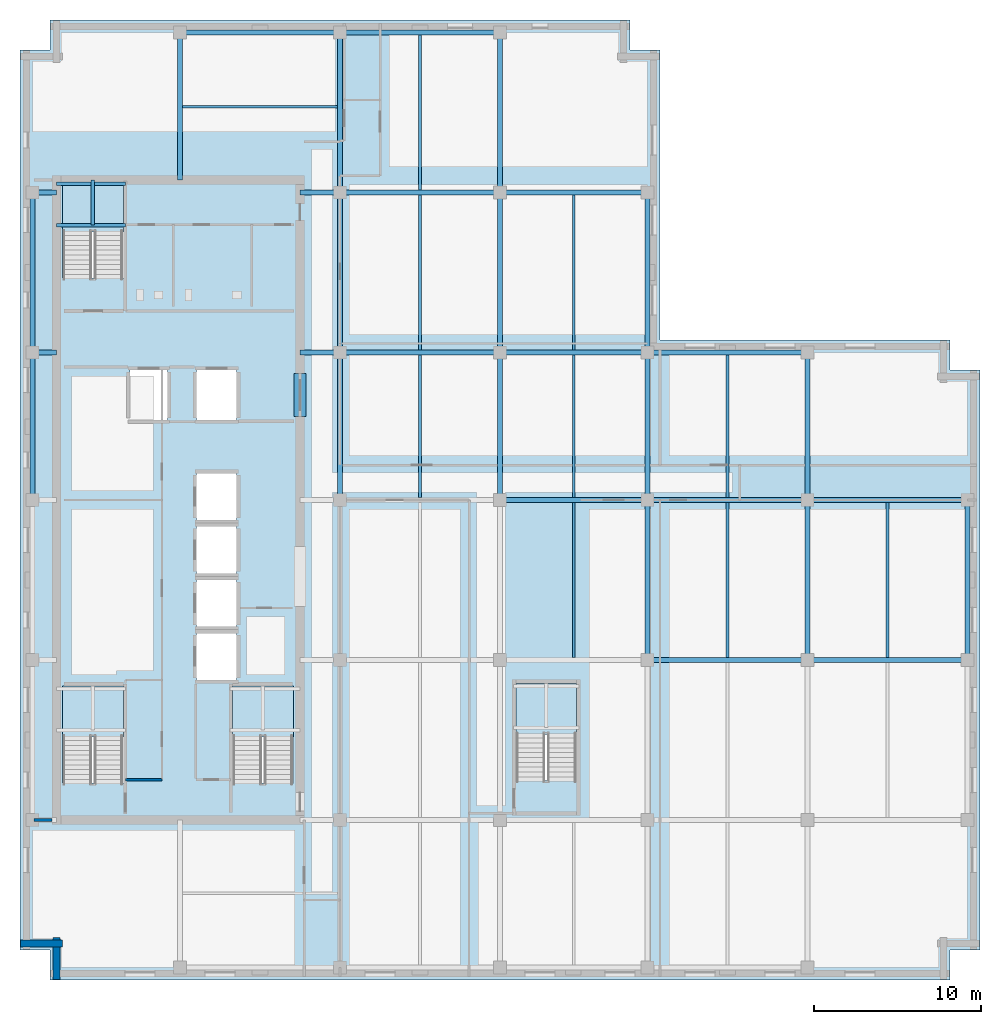
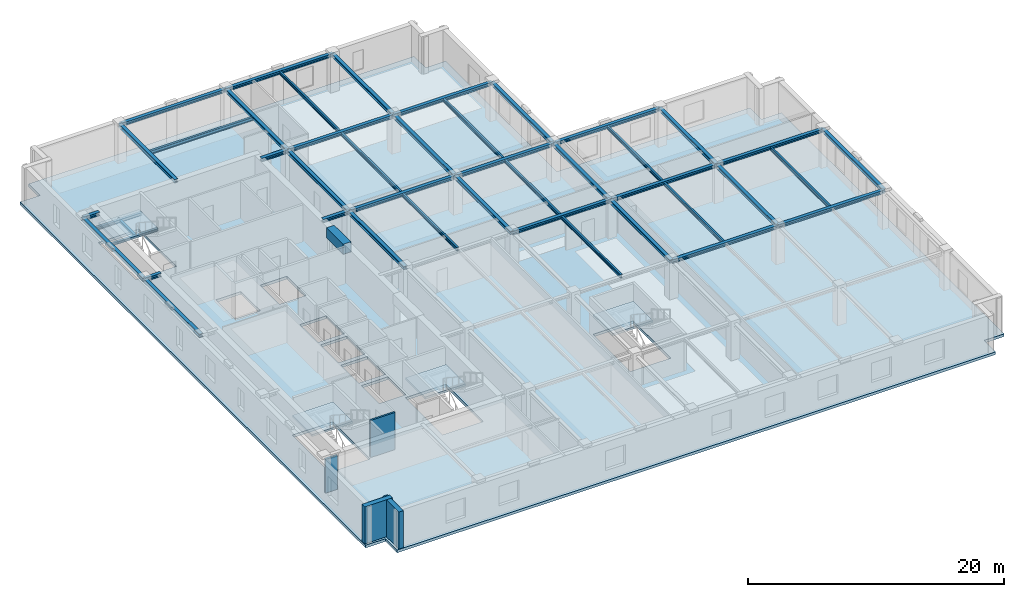
# One storey, part 2 of 12: 45 beams, 5 slabs, 4 walls, 4 elements without a shape of their own.
"""IFC4 building model written with IfcOpenShell, lengths in metres."""

from ifc_helpers import new_model, si_unit, direction, frame, frame_2d, origin, origin_2d, place, context, subcontext, project, spatial, polyline, rectangle, i_section, outline, extrude, material, layer, layer_set, material_profile, profile_set, type_object, element, aggregate, save


model = new_model("IFC4")

# Units and contexts
model_context = context("Model", 3, precision=1e-05, world=origin(), true_north=direction((0.0, 1.0)))
body_context = subcontext(model_context, "Body", "Model", "MODEL_VIEW")
ifc_project = project(units=[si_unit("LENGTHUNIT", "METRE"), si_unit("AREAUNIT", "SQUARE_METRE"), si_unit("VOLUMEUNIT", "CUBIC_METRE"), si_unit("PLANEANGLEUNIT", "RADIAN"), si_unit("MASSUNIT", "GRAM", prefix="KILO")], contexts=[model_context])

# Site, building, storey
site_placement = place(None, origin())
site = spatial("IfcSite", under=ifc_project, at=site_placement, CompositionType="ELEMENT")
building_placement = place(site_placement, origin())
building = spatial("IfcBuilding", under=site, at=building_placement, Name="Norrvale University Quadrangle", CompositionType="ELEMENT")
storey_placement = place(building_placement, frame((0.0, 0.0, 240.800048828125)))
storey = spatial("IfcBuildingStorey", under=building, at=storey_placement, Name="L61", CompositionType="ELEMENT", Elevation=240.800048828125)

# Beams
ifc_material_1 = material(Name="Steel 350W", Category="steel")
ifc_material_profile_1 = material_profile(ifc_material_1, i_section(OverallWidth=0.1669921875, OverallDepth=0.31689453125, WebThickness=0.007568359375, FlangeThickness=0.01318359375, FilletRadius=0.010009765625, at=origin_2d()), Name="Steel 350W")
ifc_profile_set_1 = profile_set([ifc_material_profile_1], Name="Steel 350W")
beam_type_1 = type_object("IfcBeamType", Name="Beam Canopy Purlin W310x52", PredefinedType="USERDEFINED", material=ifc_profile_set_1)
beam_1_placement = place(storey_placement, frame((24.0, 28.952392578125, 3.38134765625), z_axis=(0.0, 1.0, 0.0), x_axis=(-1.0, 0.0, 0.0)))
element("IfcBeam", 1, at=beam_1_placement, inside=storey, type_object=beam_type_1, Name="Beam Canopy Purlin W310x52 BM-L61-J064", ObjectType="PURLIN", PredefinedType="USERDEFINED", context=body_context, shape_type="SweptSolid", body=[
    extrude(i_section(OverallWidth=0.1669921875, OverallDepth=0.31689453125, WebThickness=0.007568359375, FlangeThickness=0.01318359375, FilletRadius=0.010009765625, at=origin_2d()), origin(), (0.0, 0.0, 1.0), 8.545166015625),
])
for number, where, z_axis, x_axis, name in (
    (2, (24.0, 37.802490234375, 3.38134765625), (0.0, 1.0, 0.0), (-1.0, 0.0, 0.0), "Beam Canopy Purlin W310x52 BM-L61-J065"),
    (3, (24.0, 47.402587890625, 3.38134765625), (0.0, 1.0, 0.0), (-1.0, 0.0, 0.0), "Beam Canopy Purlin W310x52 BM-L61-J066"),
    (4, (33.22509765625, 19.3525390625, 3.38134765625), (0.0, 1.0, 0.0), (-1.0, 0.0, 0.0), "Beam Canopy Purlin W310x52 BM-L61-J068"),
):
    element("IfcBeam", number, at=place(storey_placement, frame(where, z_axis=z_axis, x_axis=x_axis)), inside=storey, type_object=beam_type_1, Name=name, ObjectType="PURLIN", PredefinedType="USERDEFINED", context=body_context, shape_type="SweptSolid", body=[
        extrude(i_section(OverallWidth=0.1669921875, OverallDepth=0.31689453125, WebThickness=0.007568359375, FlangeThickness=0.01318359375, FilletRadius=0.010009765625, at=origin_2d()), origin(), (0.0, 0.0, 1.0), 9.294921875),
    ])
beam_2_placement = place(storey_placement, frame((33.22509765625, 28.952392578125, 3.38134765625), z_axis=(0.0, 1.0, 0.0), x_axis=(-1.0, 0.0, 0.0)))
element("IfcBeam", 5, at=beam_2_placement, inside=storey, type_object=beam_type_1, Name="Beam Canopy Purlin W310x52 BM-L61-J069", ObjectType="PURLIN", PredefinedType="USERDEFINED", context=body_context, shape_type="SweptSolid", body=[
    extrude(i_section(OverallWidth=0.1669921875, OverallDepth=0.31689453125, WebThickness=0.007568359375, FlangeThickness=0.01318359375, FilletRadius=0.010009765625, at=origin_2d()), origin(), (0.0, 0.0, 1.0), 8.545166015625),
])
for number, where, z_axis, x_axis, name in (
    (6, (33.22509765625, 37.802490234375, 3.38134765625), (0.0, 1.0, 0.0), (-1.0, 0.0, 0.0), "Beam Canopy Purlin W310x52 BM-L61-J070"),
    (7, (42.449951171875, 19.3525390625, 3.38134765625), (0.0, 1.0, 0.0), (-1.0, 0.0, 0.0), "Beam Canopy Purlin W310x52 BM-L61-J073"),
):
    element("IfcBeam", number, at=place(storey_placement, frame(where, z_axis=z_axis, x_axis=x_axis)), inside=storey, type_object=beam_type_1, Name=name, ObjectType="PURLIN", PredefinedType="USERDEFINED", context=body_context, shape_type="SweptSolid", body=[
        extrude(i_section(OverallWidth=0.1669921875, OverallDepth=0.31689453125, WebThickness=0.007568359375, FlangeThickness=0.01318359375, FilletRadius=0.010009765625, at=origin_2d()), origin(), (0.0, 0.0, 1.0), 9.294921875),
    ])
beam_3_placement = place(storey_placement, frame((42.449951171875, 28.952392578125, 3.38134765625), z_axis=(0.0, 1.0, 0.0), x_axis=(-1.0, 0.0, 0.0)))
element("IfcBeam", 8, at=beam_3_placement, inside=storey, type_object=beam_type_1, Name="Beam Canopy Purlin W310x52 BM-L61-J074", ObjectType="PURLIN", PredefinedType="USERDEFINED", context=body_context, shape_type="SweptSolid", body=[
    extrude(i_section(OverallWidth=0.1669921875, OverallDepth=0.31689453125, WebThickness=0.007568359375, FlangeThickness=0.01318359375, FilletRadius=0.010009765625, at=origin_2d()), origin(), (0.0, 0.0, 1.0), 8.545166015625),
])
beam_4_placement = place(storey_placement, frame((52.050048828125, 19.3525390625, 3.38134765625), z_axis=(0.0, 1.0, 0.0), x_axis=(-1.0, 0.0, 0.0)))
element("IfcBeam", 9, at=beam_4_placement, inside=storey, type_object=beam_type_1, Name="Beam Canopy Purlin W310x52 BM-L61-J076", ObjectType="PURLIN", PredefinedType="USERDEFINED", context=body_context, shape_type="SweptSolid", body=[
    extrude(i_section(OverallWidth=0.1669921875, OverallDepth=0.31689453125, WebThickness=0.007568359375, FlangeThickness=0.01318359375, FilletRadius=0.010009765625, at=origin_2d()), origin(), (0.0, 0.0, 1.0), 9.294921875),
])
beam_5_placement = place(storey_placement, frame((9.75244140625, 52.39990234375, 3.38134765625), z_axis=(1.0, 0.0, 0.0), x_axis=(0.0, 1.0, 0.0)))
element("IfcBeam", 10, at=beam_5_placement, inside=storey, type_object=beam_type_1, Name="Beam Canopy Purlin W310x52 BM-L61-JCN080", ObjectType="PURLIN", PredefinedType="USERDEFINED", context=body_context, shape_type="SweptSolid", body=[
    extrude(i_section(OverallWidth=0.1669921875, OverallDepth=0.31689453125, WebThickness=0.007568359375, FlangeThickness=0.01318359375, FilletRadius=0.010009765625, at=origin_2d()), origin(), (0.0, 0.0, 1.0), 9.295166015625),
])
ifc_material_profile_2 = material_profile(ifc_material_1, i_section(OverallWidth=0.304931640625, OverallDepth=0.30810546875, WebThickness=0.010009765625, FlangeThickness=0.015380859375, FilletRadius=0.014892578125, at=origin_2d()), Name="Steel 350W")
ifc_profile_set_2 = profile_set([ifc_material_profile_2], Name="Steel 350W")
beam_type_2 = type_object("IfcBeamType", Name="Beam Canopy W310x97", PredefinedType="BEAM", material=ifc_profile_set_2)
for number, where, z_axis, x_axis, name in (
    (11, (37.64990234375, 19.199951171875, 3.385986328125), (1.0, 0.0, 0.0), (0.0, 1.0, 0.0), "Beam Canopy W310x97 BM-L61-GX011"),
    (12, (47.25, 19.199951171875, 3.385986328125), (1.0, 0.0, 0.0), (0.0, 1.0, 0.0), "Beam Canopy W310x97 BM-L61-GX012"),
):
    element("IfcBeam", number, at=place(storey_placement, frame(where, z_axis=z_axis, x_axis=x_axis)), inside=storey, type_object=beam_type_2, Name=name, PredefinedType="BEAM", context=body_context, shape_type="SweptSolid", body=[
        extrude(i_section(OverallWidth=0.304931640625, OverallDepth=0.30810546875, WebThickness=0.010009765625, FlangeThickness=0.015380859375, FilletRadius=0.014892578125, at=origin_2d()), origin(), (0.0, 0.0, 1.0), 9.60009765625),
    ])
beam_6_placement = place(storey_placement, frame((28.800048828125, 28.800048828125, 3.385986328125), z_axis=(1.0, 0.0, 0.0), x_axis=(0.0, 1.0, 0.0)))
element("IfcBeam", 13, at=beam_6_placement, inside=storey, type_object=beam_type_2, Name="Beam Canopy W310x97 BM-L61-GX014", PredefinedType="BEAM", context=body_context, shape_type="SweptSolid", body=[
    extrude(i_section(OverallWidth=0.304931640625, OverallDepth=0.30810546875, WebThickness=0.010009765625, FlangeThickness=0.015380859375, FilletRadius=0.014892578125, at=origin_2d()), origin(), (0.0, 0.0, 1.0), 8.849853515625),
])
for number, where, z_axis, x_axis, name in (
    (14, (37.64990234375, 28.800048828125, 3.385986328125), (1.0, 0.0, 0.0), (0.0, 1.0, 0.0), "Beam Canopy W310x97 BM-L61-GX015"),
    (15, (47.25, 28.800048828125, 3.385986328125), (1.0, 0.0, 0.0), (0.0, 1.0, 0.0), "Beam Canopy W310x97 BM-L61-GX016"),
    (16, (19.199951171875, 37.64990234375, 3.385986328125), (1.0, 0.0, 0.0), (0.0, 1.0, 0.0), "Beam Canopy W310x97 BM-L61-GX017"),
):
    element("IfcBeam", number, at=place(storey_placement, frame(where, z_axis=z_axis, x_axis=x_axis)), inside=storey, type_object=beam_type_2, Name=name, PredefinedType="BEAM", context=body_context, shape_type="SweptSolid", body=[
        extrude(i_section(OverallWidth=0.304931640625, OverallDepth=0.30810546875, WebThickness=0.010009765625, FlangeThickness=0.015380859375, FilletRadius=0.014892578125, at=origin_2d()), origin(), (0.0, 0.0, 1.0), 9.60009765625),
    ])
beam_7_placement = place(storey_placement, frame((28.800048828125, 37.64990234375, 3.385986328125), z_axis=(1.0, 0.0, 0.0), x_axis=(0.0, 1.0, 0.0)))
element("IfcBeam", 17, at=beam_7_placement, inside=storey, type_object=beam_type_2, Name="Beam Canopy W310x97 BM-L61-GX018", PredefinedType="BEAM", context=body_context, shape_type="SweptSolid", body=[
    extrude(i_section(OverallWidth=0.304931640625, OverallDepth=0.30810546875, WebThickness=0.010009765625, FlangeThickness=0.015380859375, FilletRadius=0.014892578125, at=origin_2d()), origin(), (0.0, 0.0, 1.0), 8.849853515625),
])
for number, where, z_axis, x_axis, name in (
    (18, (37.64990234375, 37.64990234375, 3.385986328125), (1.0, 0.0, 0.0), (0.0, 1.0, 0.0), "Beam Canopy W310x97 BM-L61-GX019"),
    (19, (19.199951171875, 47.25, 3.385986328125), (1.0, 0.0, 0.0), (0.0, 1.0, 0.0), "Beam Canopy W310x97 BM-L61-GX020"),
):
    element("IfcBeam", number, at=place(storey_placement, frame(where, z_axis=z_axis, x_axis=x_axis)), inside=storey, type_object=beam_type_2, Name=name, PredefinedType="BEAM", context=body_context, shape_type="SweptSolid", body=[
        extrude(i_section(OverallWidth=0.304931640625, OverallDepth=0.30810546875, WebThickness=0.010009765625, FlangeThickness=0.015380859375, FilletRadius=0.014892578125, at=origin_2d()), origin(), (0.0, 0.0, 1.0), 9.60009765625),
    ])
beam_8_placement = place(storey_placement, frame((28.800048828125, 47.25, 3.385986328125), z_axis=(1.0, 0.0, 0.0), x_axis=(0.0, 1.0, 0.0)))
element("IfcBeam", 20, at=beam_8_placement, inside=storey, type_object=beam_type_2, Name="Beam Canopy W310x97 BM-L61-GX021", PredefinedType="BEAM", context=body_context, shape_type="SweptSolid", body=[
    extrude(i_section(OverallWidth=0.304931640625, OverallDepth=0.30810546875, WebThickness=0.010009765625, FlangeThickness=0.015380859375, FilletRadius=0.014892578125, at=origin_2d()), origin(), (0.0, 0.0, 1.0), 8.849853515625),
])
beam_9_placement = place(storey_placement, frame((9.60009765625, 56.85009765625, 3.385986328125), z_axis=(1.0, 0.0, 0.0), x_axis=(0.0, 1.0, 0.0)))
element("IfcBeam", 21, at=beam_9_placement, inside=storey, type_object=beam_type_2, Name="Beam Canopy W310x97 BM-L61-GX022", PredefinedType="BEAM", context=body_context, shape_type="SweptSolid", body=[
    extrude(i_section(OverallWidth=0.304931640625, OverallDepth=0.30810546875, WebThickness=0.010009765625, FlangeThickness=0.015380859375, FilletRadius=0.014892578125, at=origin_2d()), origin(), (0.0, 0.0, 1.0), 9.599853515625),
])
beam_10_placement = place(storey_placement, frame((19.199951171875, 56.85009765625, 3.385986328125), z_axis=(1.0, 0.0, 0.0), x_axis=(0.0, 1.0, 0.0)))
element("IfcBeam", 22, at=beam_10_placement, inside=storey, type_object=beam_type_2, Name="Beam Canopy W310x97 BM-L61-GX023", PredefinedType="BEAM", context=body_context, shape_type="SweptSolid", body=[
    extrude(i_section(OverallWidth=0.304931640625, OverallDepth=0.30810546875, WebThickness=0.010009765625, FlangeThickness=0.015380859375, FilletRadius=0.014892578125, at=origin_2d()), origin(), (0.0, 0.0, 1.0), 9.60009765625),
])
beam_11_placement = place(storey_placement, frame((0.75, 28.800048828125, 3.385986328125), z_axis=(0.0, 1.0, 0.0), x_axis=(-1.0, 0.0, 0.0)))
element("IfcBeam", 23, at=beam_11_placement, inside=storey, type_object=beam_type_2, Name="Beam Canopy W310x97 BM-L61-GY026", PredefinedType="BEAM", context=body_context, shape_type="SweptSolid", body=[
    extrude(i_section(OverallWidth=0.304931640625, OverallDepth=0.30810546875, WebThickness=0.010009765625, FlangeThickness=0.015380859375, FilletRadius=0.014892578125, at=origin_2d()), origin(), (0.0, 0.0, 1.0), 8.849853515625),
])
beam_12_placement = place(storey_placement, frame((0.75, 37.64990234375, 3.385986328125), z_axis=(0.0, 1.0, 0.0), x_axis=(-1.0, 0.0, 0.0)))
element("IfcBeam", 24, at=beam_12_placement, inside=storey, type_object=beam_type_2, Name="Beam Canopy W310x97 BM-L61-GY027", PredefinedType="BEAM", context=body_context, shape_type="SweptSolid", body=[
    extrude(i_section(OverallWidth=0.304931640625, OverallDepth=0.30810546875, WebThickness=0.010009765625, FlangeThickness=0.015380859375, FilletRadius=0.014892578125, at=origin_2d()), origin(), (0.0, 0.0, 1.0), 9.60009765625),
])
beam_13_placement = place(storey_placement, frame((19.199951171875, 28.800048828125, 3.385986328125), z_axis=(0.0, 1.0, 0.0), x_axis=(-1.0, 0.0, 0.0)))
element("IfcBeam", 25, at=beam_13_placement, inside=storey, type_object=beam_type_2, Name="Beam Canopy W310x97 BM-L61-GY031", PredefinedType="BEAM", context=body_context, shape_type="SweptSolid", body=[
    extrude(i_section(OverallWidth=0.304931640625, OverallDepth=0.30810546875, WebThickness=0.010009765625, FlangeThickness=0.015380859375, FilletRadius=0.014892578125, at=origin_2d()), origin(), (0.0, 0.0, 1.0), 8.849853515625),
])
for number, where, z_axis, x_axis, name in (
    (26, (19.199951171875, 37.64990234375, 3.385986328125), (0.0, 1.0, 0.0), (-1.0, 0.0, 0.0), "Beam Canopy W310x97 BM-L61-GY032"),
    (27, (19.199951171875, 47.25, 3.385986328125), (0.0, 1.0, 0.0), (-1.0, 0.0, 0.0), "Beam Canopy W310x97 BM-L61-GY033"),
):
    element("IfcBeam", number, at=place(storey_placement, frame(where, z_axis=z_axis, x_axis=x_axis)), inside=storey, type_object=beam_type_2, Name=name, PredefinedType="BEAM", context=body_context, shape_type="SweptSolid", body=[
        extrude(i_section(OverallWidth=0.304931640625, OverallDepth=0.30810546875, WebThickness=0.010009765625, FlangeThickness=0.015380859375, FilletRadius=0.014892578125, at=origin_2d()), origin(), (0.0, 0.0, 1.0), 9.60009765625),
    ])
beam_14_placement = place(storey_placement, frame((28.800048828125, 28.800048828125, 3.385986328125), z_axis=(0.0, 1.0, 0.0), x_axis=(-1.0, 0.0, 0.0)))
element("IfcBeam", 28, at=beam_14_placement, inside=storey, type_object=beam_type_2, Name="Beam Canopy W310x97 BM-L61-GY037", PredefinedType="BEAM", context=body_context, shape_type="SweptSolid", body=[
    extrude(i_section(OverallWidth=0.304931640625, OverallDepth=0.30810546875, WebThickness=0.010009765625, FlangeThickness=0.015380859375, FilletRadius=0.014892578125, at=origin_2d()), origin(), (0.0, 0.0, 1.0), 8.849853515625),
])
for number, where, z_axis, x_axis, name in (
    (29, (28.800048828125, 37.64990234375, 3.385986328125), (0.0, 1.0, 0.0), (-1.0, 0.0, 0.0), "Beam Canopy W310x97 BM-L61-GY038"),
    (30, (28.800048828125, 47.25, 3.385986328125), (0.0, 1.0, 0.0), (-1.0, 0.0, 0.0), "Beam Canopy W310x97 BM-L61-GY039"),
    (31, (37.64990234375, 19.199951171875, 3.385986328125), (0.0, 1.0, 0.0), (-1.0, 0.0, 0.0), "Beam Canopy W310x97 BM-L61-GY042"),
):
    element("IfcBeam", number, at=place(storey_placement, frame(where, z_axis=z_axis, x_axis=x_axis)), inside=storey, type_object=beam_type_2, Name=name, PredefinedType="BEAM", context=body_context, shape_type="SweptSolid", body=[
        extrude(i_section(OverallWidth=0.304931640625, OverallDepth=0.30810546875, WebThickness=0.010009765625, FlangeThickness=0.015380859375, FilletRadius=0.014892578125, at=origin_2d()), origin(), (0.0, 0.0, 1.0), 9.60009765625),
    ])
beam_15_placement = place(storey_placement, frame((37.64990234375, 28.800048828125, 3.385986328125), z_axis=(0.0, 1.0, 0.0), x_axis=(-1.0, 0.0, 0.0)))
element("IfcBeam", 32, at=beam_15_placement, inside=storey, type_object=beam_type_2, Name="Beam Canopy W310x97 BM-L61-GY043", PredefinedType="BEAM", context=body_context, shape_type="SweptSolid", body=[
    extrude(i_section(OverallWidth=0.304931640625, OverallDepth=0.30810546875, WebThickness=0.010009765625, FlangeThickness=0.015380859375, FilletRadius=0.014892578125, at=origin_2d()), origin(), (0.0, 0.0, 1.0), 8.849853515625),
])
for number, where, z_axis, x_axis, name in (
    (33, (37.64990234375, 37.64990234375, 3.385986328125), (0.0, 1.0, 0.0), (-1.0, 0.0, 0.0), "Beam Canopy W310x97 BM-L61-GY044"),
    (34, (47.25, 19.199951171875, 3.385986328125), (0.0, 1.0, 0.0), (-1.0, 0.0, 0.0), "Beam Canopy W310x97 BM-L61-GY047"),
):
    element("IfcBeam", number, at=place(storey_placement, frame(where, z_axis=z_axis, x_axis=x_axis)), inside=storey, type_object=beam_type_2, Name=name, PredefinedType="BEAM", context=body_context, shape_type="SweptSolid", body=[
        extrude(i_section(OverallWidth=0.304931640625, OverallDepth=0.30810546875, WebThickness=0.010009765625, FlangeThickness=0.015380859375, FilletRadius=0.014892578125, at=origin_2d()), origin(), (0.0, 0.0, 1.0), 9.60009765625),
    ])
beam_16_placement = place(storey_placement, frame((47.25, 28.800048828125, 3.385986328125), z_axis=(0.0, 1.0, 0.0), x_axis=(-1.0, 0.0, 0.0)))
element("IfcBeam", 35, at=beam_16_placement, inside=storey, type_object=beam_type_2, Name="Beam Canopy W310x97 BM-L61-GY048", PredefinedType="BEAM", context=body_context, shape_type="SweptSolid", body=[
    extrude(i_section(OverallWidth=0.304931640625, OverallDepth=0.30810546875, WebThickness=0.010009765625, FlangeThickness=0.015380859375, FilletRadius=0.014892578125, at=origin_2d()), origin(), (0.0, 0.0, 1.0), 8.849853515625),
])
beam_17_placement = place(storey_placement, frame((56.85009765625, 19.199951171875, 3.385986328125), z_axis=(0.0, 1.0, 0.0), x_axis=(-1.0, 0.0, 0.0)))
element("IfcBeam", 36, at=beam_17_placement, inside=storey, type_object=beam_type_2, Name="Beam Canopy W310x97 BM-L61-GY050", PredefinedType="BEAM", context=body_context, shape_type="SweptSolid", body=[
    extrude(i_section(OverallWidth=0.304931640625, OverallDepth=0.30810546875, WebThickness=0.010009765625, FlangeThickness=0.015380859375, FilletRadius=0.014892578125, at=origin_2d()), origin(), (0.0, 0.0, 1.0), 9.60009765625),
])
beam_18_placement = place(storey_placement, frame((0.75, 37.64990234375, 3.385986328125), z_axis=(1.0, 0.0, 0.0), x_axis=(0.0, 1.0, 0.0)))
element("IfcBeam", 37, at=beam_18_placement, inside=storey, type_object=beam_type_2, Name="Beam Canopy W310x97 BM-L61-GCW057", PredefinedType="BEAM", context=body_context, shape_type="SweptSolid", body=[
    extrude(i_section(OverallWidth=0.304931640625, OverallDepth=0.30810546875, WebThickness=0.010009765625, FlangeThickness=0.015380859375, FilletRadius=0.014892578125, at=origin_2d()), origin(), (0.0, 0.0, 1.0), 1.449951171875),
])
beam_19_placement = place(storey_placement, frame((16.800048828125, 37.64990234375, 3.385986328125), z_axis=(1.0, 0.0, 0.0), x_axis=(0.0, 1.0, 0.0)))
element("IfcBeam", 38, at=beam_19_placement, inside=storey, type_object=beam_type_2, Name="Beam Canopy W310x97 BM-L61-GCE058", PredefinedType="BEAM", context=body_context, shape_type="SweptSolid", body=[
    extrude(i_section(OverallWidth=0.304931640625, OverallDepth=0.30810546875, WebThickness=0.010009765625, FlangeThickness=0.015380859375, FilletRadius=0.014892578125, at=origin_2d()), origin(), (0.0, 0.0, 1.0), 2.39990234375),
])
beam_20_placement = place(storey_placement, frame((0.75, 47.25, 3.385986328125), z_axis=(1.0, 0.0, 0.0), x_axis=(0.0, 1.0, 0.0)))
element("IfcBeam", 39, at=beam_20_placement, inside=storey, type_object=beam_type_2, Name="Beam Canopy W310x97 BM-L61-GCW059", PredefinedType="BEAM", context=body_context, shape_type="SweptSolid", body=[
    extrude(i_section(OverallWidth=0.304931640625, OverallDepth=0.30810546875, WebThickness=0.010009765625, FlangeThickness=0.015380859375, FilletRadius=0.014892578125, at=origin_2d()), origin(), (0.0, 0.0, 1.0), 1.449951171875),
])
beam_21_placement = place(storey_placement, frame((16.800048828125, 47.25, 3.385986328125), z_axis=(1.0, 0.0, 0.0), x_axis=(0.0, 1.0, 0.0)))
element("IfcBeam", 40, at=beam_21_placement, inside=storey, type_object=beam_type_2, Name="Beam Canopy W310x97 BM-L61-GCE060", PredefinedType="BEAM", context=body_context, shape_type="SweptSolid", body=[
    extrude(i_section(OverallWidth=0.304931640625, OverallDepth=0.30810546875, WebThickness=0.010009765625, FlangeThickness=0.015380859375, FilletRadius=0.014892578125, at=origin_2d()), origin(), (0.0, 0.0, 1.0), 2.39990234375),
])
beam_22_placement = place(storey_placement, frame((9.60009765625, 48.0, 3.385986328125), z_axis=(0.0, 1.0, 0.0), x_axis=(-1.0, 0.0, 0.0)))
element("IfcBeam", 41, at=beam_22_placement, inside=storey, type_object=beam_type_2, Name="Beam Canopy W310x97 BM-L61-GCN079", PredefinedType="BEAM", context=body_context, shape_type="SweptSolid", body=[
    extrude(i_section(OverallWidth=0.304931640625, OverallDepth=0.30810546875, WebThickness=0.010009765625, FlangeThickness=0.015380859375, FilletRadius=0.014892578125, at=origin_2d()), origin(), (0.0, 0.0, 1.0), 8.85009765625),
])
ifc_material_2 = material(Name="Concrete C80/95", Category="concrete")
ifc_material_profile_3 = material_profile(ifc_material_2, rectangle(XDim=0.699951171875, YDim=0.949951171875, at=origin_2d()), Name="Concrete C80/95")
ifc_profile_set_3 = profile_set([ifc_material_profile_3], Name="Concrete C80/95")
beam_type_3 = type_object("IfcBeamType", Name="Beam Core Link 700x950", PredefinedType="LINTEL", material=ifc_profile_set_3)
beam_23_placement = place(storey_placement, frame((16.800048828125, 33.800048828125, 3.06494140625), z_axis=(0.0, 1.0, 0.0), x_axis=(-1.0, 0.0, 0.0)))
element("IfcBeam", 42, at=beam_23_placement, inside=storey, type_object=beam_type_3, Name="Core Coupling Lintel Beam L61-2", PredefinedType="LINTEL", context=body_context, shape_type="SweptSolid", body=[
    extrude(rectangle(XDim=0.699951171875, YDim=0.949951171875, at=origin_2d()), origin(), (0.0, 0.0, 1.0), 2.599853515625),
])
ifc_material_profile_4 = material_profile(ifc_material_1, i_section(OverallWidth=0.201904296875, OverallDepth=0.2470703125, WebThickness=0.00732421875, FlangeThickness=0.010986328125, FilletRadius=0.011962890625, at=origin_2d()), Name="Steel 350W")
ifc_profile_set_4 = profile_set([ifc_material_profile_4], Name="Steel 350W")
beam_type_4 = type_object("IfcBeamType", Name="Beam Stair W250x49", PredefinedType="BEAM", material=ifc_profile_set_4)
for number, where, z_axis, x_axis, name in (
    (43, (2.199951171875, 45.2900390625, 1.576416015625), (1.0, 0.0, 0.0), (0.0, 1.0, 0.0), "Stair Mid-Landing Front Beam ST-02 L61"),
    (44, (2.199951171875, 47.77001953125, 1.576416015625), (1.0, 0.0, 0.0), (0.0, 1.0, 0.0), "Stair Mid-Landing Rear Beam ST-02 L61"),
):
    element("IfcBeam", number, at=place(storey_placement, frame(where, z_axis=z_axis, x_axis=x_axis)), inside=storey, type_object=beam_type_4, Name=name, PredefinedType="BEAM", context=body_context, shape_type="SweptSolid", body=[
        extrude(i_section(OverallWidth=0.201904296875, OverallDepth=0.2470703125, WebThickness=0.00732421875, FlangeThickness=0.010986328125, FilletRadius=0.011962890625, at=origin_2d()), origin(), (0.0, 0.0, 1.0), 4.14013671875),
    ])
ifc_material_profile_5 = material_profile(ifc_material_1, i_section(OverallWidth=0.202880859375, OverallDepth=0.202880859375, WebThickness=0.007080078125, FlangeThickness=0.010986328125, FilletRadius=0.010009765625, at=origin_2d()), Name="Steel 350W")
ifc_profile_set_5 = profile_set([ifc_material_profile_5], Name="Steel 350W")
beam_type_5 = type_object("IfcBeamType", Name="Beam Trim W200x46", PredefinedType="BEAM", material=ifc_profile_set_5)
beam_24_placement = place(storey_placement, frame((4.375, 45.2900390625, 1.598388671875), z_axis=(0.0, 1.0, 0.0), x_axis=(-1.0, 0.0, 0.0)))
element("IfcBeam", 45, at=beam_24_placement, inside=storey, type_object=beam_type_5, Name="Stair Mid-Landing Cross Beam ST-02 L61", PredefinedType="BEAM", context=body_context, shape_type="SweptSolid", body=[
    extrude(i_section(OverallWidth=0.202880859375, OverallDepth=0.202880859375, WebThickness=0.007080078125, FlangeThickness=0.010986328125, FilletRadius=0.010009765625, at=origin_2d()), origin(), (0.0, 0.0, 1.0), 2.7099609375),
])

# Stair, slab
ifc_material_3 = material(Name="Concrete C40/50", Category="concrete")
stair_type = type_object("IfcStairType", Name="Stair Tower Typ 3800", PredefinedType="TWO_STRAIGHT_RUN_STAIR", material=ifc_material_3)
stair_1_placement = place(storey_placement, origin())
stair_1 = element("IfcStair", 46, at=stair_1_placement, inside=storey, type_object=stair_type, Name="Exit Stair ST-01 L61", PredefinedType="TWO_STRAIGHT_RUN_STAIR")
ifc_layer_1 = layer(ifc_material_3, 0.199951171875, Name="Concrete C40/50")
ifc_layer_set_1 = layer_set([ifc_layer_1], Name="Concrete C40/50")
slab_type_1 = type_object("IfcSlabType", Name="Slab Landing 200", PredefinedType="LANDING", material=ifc_layer_set_1)
slab_1_placement = place(storey_placement, frame((0.0, 0.0, 1.699951171875)))
slab_1 = element("IfcSlab", 47, at=slab_1_placement, type_object=slab_type_1, Name="Exit Stair ST-01 L61 Mid Landing", PredefinedType="LANDING", context=body_context, shape_type="SweptSolid", body=[
    extrude(outline(polyline([(2.550048828125, 14.590087890625), (6.199951171875, 14.590087890625), (6.199951171875, 17.64990234375), (2.550048828125, 17.64990234375), (2.550048828125, 14.590087890625)])), origin(), (0.0, 0.0, 1.0), 0.199951171875),
])
aggregate(stair_1, [slab_1])

stair_2_placement = place(storey_placement, origin())
stair_2 = element("IfcStair", 48, at=stair_2_placement, inside=storey, type_object=stair_type, Name="Exit Stair ST-02 L61", PredefinedType="TWO_STRAIGHT_RUN_STAIR")
slab_2_placement = place(storey_placement, frame((0.0, 0.0, 1.699951171875)))
slab_2 = element("IfcSlab", 49, at=slab_2_placement, type_object=slab_type_1, Name="Exit Stair ST-02 L61 Mid Landing", PredefinedType="LANDING", context=body_context, shape_type="SweptSolid", body=[
    extrude(outline(polyline([(2.550048828125, 44.889892578125), (6.199951171875, 44.889892578125), (6.199951171875, 47.949951171875), (2.550048828125, 47.949951171875), (2.550048828125, 44.889892578125)])), origin(), (0.0, 0.0, 1.0), 0.199951171875),
])
aggregate(stair_2, [slab_2])

stair_3_placement = place(storey_placement, origin())
stair_3 = element("IfcStair", 50, at=stair_3_placement, inside=storey, type_object=stair_type, Name="Exit Stair ST-03 L61", PredefinedType="TWO_STRAIGHT_RUN_STAIR")
slab_3_placement = place(storey_placement, frame((0.0, 0.0, 1.699951171875)))
slab_3 = element("IfcSlab", 51, at=slab_3_placement, type_object=slab_type_1, Name="Exit Stair ST-03 L61 Mid Landing", PredefinedType="LANDING", context=body_context, shape_type="SweptSolid", body=[
    extrude(outline(polyline([(12.75, 14.590087890625), (16.39990234375, 14.590087890625), (16.39990234375, 17.64990234375), (12.75, 17.64990234375), (12.75, 14.590087890625)])), origin(), (0.0, 0.0, 1.0), 0.199951171875),
])
aggregate(stair_3, [slab_3])

stair_4_placement = place(storey_placement, origin())
stair_4 = element("IfcStair", 52, at=stair_4_placement, inside=storey, type_object=stair_type, Name="Exit Stair ST-04 L61", PredefinedType="TWO_STRAIGHT_RUN_STAIR")
slab_4_placement = place(storey_placement, frame((0.0, 0.0, 1.699951171875)))
slab_4 = element("IfcSlab", 53, at=slab_4_placement, type_object=slab_type_1, Name="Exit Stair ST-04 L61 Mid Landing", PredefinedType="LANDING", context=body_context, shape_type="SweptSolid", body=[
    extrude(outline(polyline([(29.75, 14.739990234375), (33.39990234375, 14.739990234375), (33.39990234375, 17.800048828125), (29.75, 17.800048828125), (29.75, 14.739990234375)])), origin(), (0.0, 0.0, 1.0), 0.199951171875),
])
aggregate(stair_4, [slab_4])

# Slab
ifc_layer_2 = layer(ifc_material_3, 0.260009765625, Name="Concrete C40/50")
ifc_layer_set_2 = layer_set([ifc_layer_2], Name="Concrete C40/50")
slab_type_2 = type_object("IfcSlabType", Name="Slab Tower Typ 260", PredefinedType="FLOOR", material=ifc_layer_set_2)
slab_5_placement = place(storey_placement, frame((0.0, 0.0, -0.260009765625)))
element("IfcSlab", 54, at=slab_5_placement, inside=storey, type_object=slab_type_2, Name="Tower L61 Floor Slab", PredefinedType="FLOOR", context=body_context, shape_type="SweptSolid", body=[
    extrude(outline(polyline([(1.800048828125, 0.0), (55.800048828125, 0.0), (55.800048828125, 1.800048828125), (57.60009765625, 1.800048828125), (57.60009765625, 36.60009765625), (55.800048828125, 36.60009765625), (55.800048828125, 38.39990234375), (38.39990234375, 38.39990234375), (38.39990234375, 55.800048828125), (36.60009765625, 55.800048828125), (36.60009765625, 57.60009765625), (1.800048828125, 57.60009765625), (1.800048828125, 55.800048828125), (0.0, 55.800048828125), (0.0, 1.800048828125), (1.800048828125, 1.800048828125), (1.800048828125, 0.0)]), holes=[polyline([(2.550048828125, 11.81005859375), (6.199951171875, 11.81005859375), (6.199951171875, 17.64990234375), (2.550048828125, 17.64990234375), (2.550048828125, 11.81005859375)]), polyline([(2.550048828125, 42.110107421875), (6.199951171875, 42.110107421875), (6.199951171875, 47.949951171875), (2.550048828125, 47.949951171875), (2.550048828125, 42.110107421875)]), polyline([(12.75, 11.81005859375), (16.39990234375, 11.81005859375), (16.39990234375, 17.64990234375), (12.75, 17.64990234375), (12.75, 11.81005859375)]), polyline([(29.75, 11.9599609375), (33.39990234375, 11.9599609375), (33.39990234375, 17.800048828125), (29.75, 17.800048828125), (29.75, 11.9599609375)]), polyline([(10.60009765625, 18.0), (13.0, 18.0), (13.0, 20.800048828125), (10.60009765625, 20.800048828125), (10.60009765625, 18.0)]), polyline([(10.60009765625, 21.199951171875), (13.0, 21.199951171875), (13.0, 24.0), (10.60009765625, 24.0), (10.60009765625, 21.199951171875)]), polyline([(10.60009765625, 24.39990234375), (13.0, 24.39990234375), (13.0, 27.199951171875), (10.60009765625, 27.199951171875), (10.60009765625, 24.39990234375)]), polyline([(10.60009765625, 27.60009765625), (13.0, 27.60009765625), (13.0, 30.39990234375), (10.60009765625, 30.39990234375), (10.60009765625, 27.60009765625)]), polyline([(6.60009765625, 33.60009765625), (8.85009765625, 33.60009765625), (8.85009765625, 36.60009765625), (6.60009765625, 36.60009765625), (6.60009765625, 33.60009765625)]), polyline([(10.60009765625, 33.60009765625), (13.0, 33.60009765625), (13.0, 36.60009765625), (10.60009765625, 36.60009765625), (10.60009765625, 33.60009765625)])]), origin(), (0.0, 0.0, 1.0), 0.260009765625),
])

# Walls
ifc_material_4 = material(Name="Buff Norman Clay Brick Masonry", Category="masonry")
ifc_layer_3 = layer(ifc_material_4, 0.419921875, Name="Buff Norman Clay Brick Masonry")
ifc_layer_set_3 = layer_set([ifc_layer_3], Name="Buff Norman Clay Brick Masonry")
wall_type_1 = type_object("IfcWallType", Name="Wall Buff Brick 420", PredefinedType="SOLIDWALL", material=ifc_layer_set_3)
for number, where, z_axis, x_axis, name in (
    (55, (0.0400390625, 2.18994140625, 0.0), (0.0, 0.0, 1.0), (1.0, 0.0, 0.0), "Exterior Brick Facade Wall L61-15.1"),
    (56, (2.18994140625, 2.5400390625, 0.0), (0.0, 0.0, 1.0), (0.0, -1.0, 0.0), "Exterior Brick Facade Wall L61-16.1"),
):
    element("IfcWall", number, at=place(storey_placement, frame(where, z_axis=z_axis, x_axis=x_axis)), inside=storey, type_object=wall_type_1, Name=name, PredefinedType="SOLIDWALL", context=body_context, shape_type="SweptSolid", body=[
        extrude(rectangle(XDim=2.5, YDim=0.419921875, at=frame_2d((1.25, 0.0))), origin(), (0.0, 0.0, 1.0), 3.5400390625),
    ])
ifc_material_5 = material(Name="Fire-Rated Gypsum Stud Partition")
ifc_layer_4 = layer(ifc_material_5, 0.14990234375, Name="Fire-Rated Gypsum Stud Partition")
ifc_layer_set_4 = layer_set([ifc_layer_4], Name="Fire-Rated Gypsum Stud Partition")
wall_type_2 = type_object("IfcWallType", Name="Wall Gypsum Corridor 150", PredefinedType="PARTITIONING", material=ifc_layer_set_4)
wall_1_placement = place(storey_placement, frame((6.320068359375, 12.02001953125, 0.0), z_axis=(0.0, 0.0, 1.0), x_axis=(1.0, 0.0, 0.0)))
element("IfcWall", 57, at=wall_1_placement, inside=storey, type_object=wall_type_2, Name="Interior Partition WL-L61-REC-S", PredefinedType="PARTITIONING", context=body_context, shape_type="SweptSolid", body=[
    extrude(rectangle(XDim=2.199951171875, YDim=0.14990234375, at=frame_2d((1.10009765625, 0.0))), origin(), (0.0, 0.0, 1.0), 3.5400390625),
])
ifc_material_6 = material(Name="Concrete Blockwork 20 MPa Rated Wall", Category="masonry")
ifc_layer_5 = layer(ifc_material_6, 0.199951171875, Name="Concrete Blockwork 20 MPa Rated Wall")
ifc_layer_set_5 = layer_set([ifc_layer_5], Name="Concrete Blockwork 20 MPa Rated Wall")
wall_type_3 = type_object("IfcWallType", Name="Wall Lobby 200", PredefinedType="SOLIDWALL", material=ifc_layer_set_5)
wall_2_placement = place(storey_placement, frame((0.85009765625, 9.60009765625, 0.0), z_axis=(0.0, 0.0, 1.0), x_axis=(1.0, 0.0, 0.0)))
element("IfcWall", 58, at=wall_2_placement, inside=storey, type_object=wall_type_3, Name="Interior Partition WL-L61-CWRET-S", PredefinedType="SOLIDWALL", context=body_context, shape_type="SweptSolid", body=[
    extrude(rectangle(XDim=1.06982421875, YDim=0.199951171875, at=frame_2d((0.534912109375, 0.0))), origin(), (0.0, 0.0, 1.0), 3.23193359375),
])

save(model, "model.ifc")
